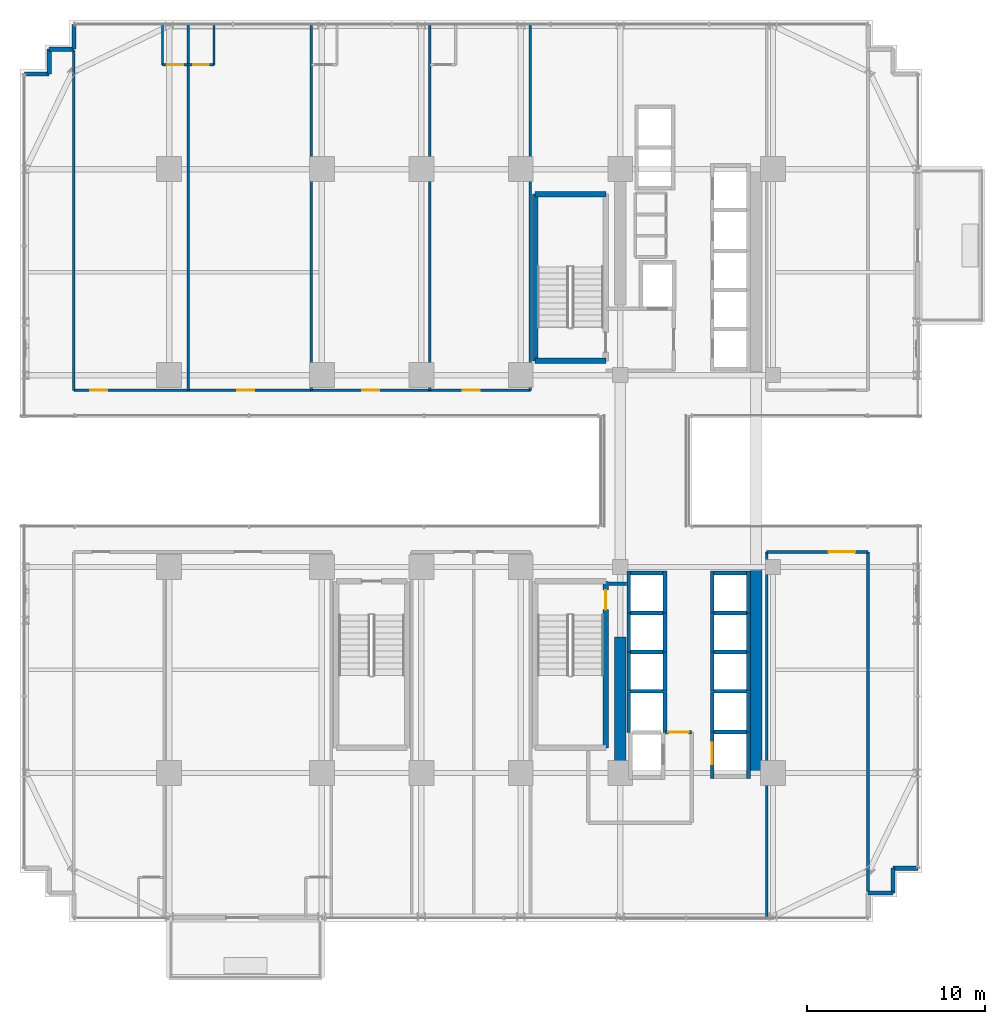
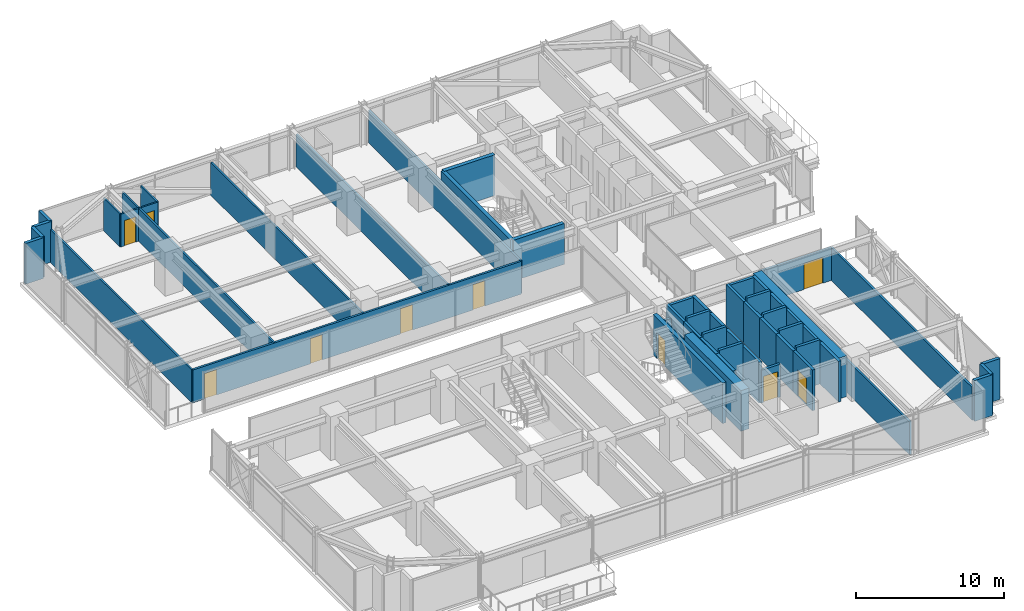
# One storey, part 30 of 35: 55 walls, 10 doors, 10 openings.
"""IFC4 building model written with IfcOpenShell, lengths in metres."""

from ifc_helpers import new_model, si_unit, direction, frame, frame_2d, origin, place, context, subcontext, project, spatial, rectangle, extrude, source, transform, mapped, material, layer, layer_set, type_object, element, fill, save


model = new_model("IFC4")

# Units and contexts
model_context = context("Model", 3, precision=1e-05, world=origin(), true_north=direction((0.0, 1.0)))
body_context = subcontext(model_context, "Body", "Model", "MODEL_VIEW")
ifc_project = project(units=[si_unit("LENGTHUNIT", "METRE"), si_unit("AREAUNIT", "SQUARE_METRE"), si_unit("VOLUMEUNIT", "CUBIC_METRE"), si_unit("PLANEANGLEUNIT", "RADIAN"), si_unit("MASSUNIT", "GRAM", prefix="KILO")], contexts=[model_context])

# Site, building, storey
site_placement = place(None, origin())
site = spatial("IfcSite", under=ifc_project, at=site_placement, CompositionType="ELEMENT")
building_placement = place(site_placement, origin())
building = spatial("IfcBuilding", under=site, at=building_placement, Name="Nahalor Promenade Grand Hotel", CompositionType="ELEMENT")
storey_placement = place(building_placement, frame((0.0, 0.0, 43.35009765625)))
storey = spatial("IfcBuildingStorey", under=building, at=storey_placement, Name="L09", CompositionType="ELEMENT", Elevation=43.35009765625)

# Walls
ifc_material_1 = material(Name="Concrete B-60 (C50/60)", Category="concrete")
ifc_layer_1 = layer(ifc_material_1, 0.64990234375)
ifc_layer_set_1 = layer_set([ifc_layer_1], Name="Concrete B-60 (C50/60)")
wall_type_1 = type_object("IfcWallType", Name="Wall-CoreShear-650", PredefinedType="SHEAR", material=ifc_layer_set_1)
shared_shape_1 = source(origin(), body_context, "Body", "SweptSolid", [
    extrude(rectangle(XDim=7.64990234375, YDim=0.64990234375, at=frame_2d((3.824951171875, 0.0))), origin(), (0.0, 0.0, 1.0), 3.369873046875),
])
wall_1_placement = place(storey_placement, frame((8.39990234375, -17.0, 0.0), z_axis=(0.0, 0.0, 1.0), x_axis=(0.0, 1.0, 0.0)))
element("IfcWall", 1, at=wall_1_placement, inside=storey, type_object=wall_type_1, Name="CWALL-L09-SW", PredefinedType="SHEAR", context=body_context, shape_type="MappedRepresentation", body=[
    mapped(shared_shape_1, transform((0.0, 0.0, 0.0), scale=1.0)),
])
shared_shape_2 = source(origin(), body_context, "Body", "SweptSolid", [
    extrude(rectangle(XDim=11.60009765625, YDim=0.64990234375, at=frame_2d((5.800048828125, 0.0))), origin(), (0.0, 0.0, 1.0), 3.369873046875),
])
wall_2_placement = place(storey_placement, frame((16.050048828125, -17.0, 0.0), z_axis=(0.0, 0.0, 1.0), x_axis=(0.0, 1.0, 0.0)))
element("IfcWall", 2, at=wall_2_placement, inside=storey, type_object=wall_type_1, Name="CWALL-L09-SE", PredefinedType="SHEAR", context=body_context, shape_type="MappedRepresentation", body=[
    mapped(shared_shape_2, transform((0.0, 0.0, 0.0), scale=1.0)),
])
ifc_material_2 = material(Name="Concrete B-50 (C40/50)", Category="concrete")
ifc_layer_2 = layer(ifc_material_2, 0.300048828125)
ifc_layer_set_2 = layer_set([ifc_layer_2], Name="Concrete B-50 (C40/50)")
wall_type_2 = type_object("IfcWallType", Name="Wall-ShaftShear-300", PredefinedType="SHEAR", material=ifc_layer_set_2)
shared_shape_3 = source(origin(), body_context, "Body", "SweptSolid", [
    extrude(rectangle(XDim=3.97998046875, YDim=0.300048828125, at=frame_2d((1.989990234375, 0.0))), origin(), (0.0, 0.0, 1.0), 3.369873046875),
])
for number, where, z_axis, x_axis, name in (
    (3, (3.610107421875, 6.2099609375, 0.0), (0.0, 0.0, 1.0), (1.0, 0.0, 0.0), "L09 Exit Stair ST1 Shaft Wall S"),
    (4, (3.610107421875, 15.590087890625, 0.0), (0.0, 0.0, 1.0), (1.0, 0.0, 0.0), "L09 Exit Stair ST1 Shaft Wall N"),
):
    element("IfcWall", number, at=place(storey_placement, frame(where, z_axis=z_axis, x_axis=x_axis)), inside=storey, type_object=wall_type_2, Name=name, PredefinedType="SHEAR", context=body_context, shape_type="MappedRepresentation", body=[
        mapped(shared_shape_3, transform((0.0, 0.0, 0.0), scale=1.0)),
    ])
shared_shape_4 = source(origin(), body_context, "Body", "SweptSolid", [
    extrude(rectangle(XDim=9.380126953125, YDim=0.300048828125, at=frame_2d((4.68994140625, 0.0))), origin(), (0.0, 0.0, 1.0), 3.369873046875),
])
wall_3_placement = place(storey_placement, frame((3.610107421875, 6.2099609375, 0.0), z_axis=(0.0, 0.0, 1.0), x_axis=(0.0, 1.0, 0.0)))
element("IfcWall", 5, at=wall_3_placement, inside=storey, type_object=wall_type_2, Name="L09 Exit Stair ST1 Shaft Wall W", PredefinedType="SHEAR", context=body_context, shape_type="MappedRepresentation", body=[
    mapped(shared_shape_4, transform((0.0, 0.0, 0.0), scale=1.0)),
])

# Wall, opening, door
wall_4_placement = place(storey_placement, frame((7.590087890625, -15.590087890625, 0.0), z_axis=(0.0, 0.0, 1.0), x_axis=(0.0, 1.0, 0.0)))
wall_4 = element("IfcWall", 6, at=wall_4_placement, inside=storey, type_object=wall_type_2, Name="L09 Exit Stair ST2 Shaft Wall E", PredefinedType="SHEAR", context=body_context, shape_type="MappedRepresentation", body=[
    mapped(shared_shape_4, transform((0.0, 0.0, 0.0), scale=1.0)),
])
opening_1_placement = place(wall_4_placement, frame((7.7900390625, 0.0, 0.0)))
opening_1 = element("IfcOpeningElement", 7, at=opening_1_placement, cuts=wall_4, Name="Opening D-ST1", PredefinedType="OPENING", context=body_context, shape_type="SweptSolid", body=[
    extrude(rectangle(XDim=1.10009765625, YDim=2.14990234375, at=frame_2d((0.550048828125, 1.074951171875))), frame((0.0, 0.159912109375, 0.0), z_axis=(0.0, -1.0, 0.0), x_axis=(1.0, 0.0, 0.0)), (0.0, 0.0, 1.0), 0.320068359375),
])
ifc_material_3 = material(Name="Steel S355JR", Category="steel")
door_type_1 = type_object("IfcDoorType", Name="Door-StairFire-1100", OperationType="NOTDEFINED", PredefinedType="DOOR", material=ifc_material_3)
shared_shape_5 = source(origin(), body_context, "Body", "SweptSolid", [
    extrude(rectangle(XDim=1.10009765625, YDim=2.14990234375, at=frame_2d((0.550048828125, 1.074951171875))), frame((0.0, 0.02490234375, 0.0), z_axis=(0.0, -1.0, 0.0), x_axis=(1.0, 0.0, 0.0)), (0.0, 0.0, 1.0), 0.050048828125),
])
door_1_placement = place(opening_1_placement, origin())
door_1 = element("IfcDoor", 8, at=door_1_placement, inside=storey, type_object=door_type_1, Name="DR-STAIR-ST2-L09", OperationType="SINGLE_SWING_RIGHT", OverallHeight=2.14990234375, OverallWidth=1.10009765625, PredefinedType="DOOR", context=body_context, shape_type="MappedRepresentation", body=[
    mapped(shared_shape_5, transform((0.0, 0.0, 0.0), scale=1.0)),
])
fill(opening_1, door_1)

# Walls
ifc_layer_3 = layer(ifc_material_2, 0.219970703125)
ifc_layer_set_3 = layer_set([ifc_layer_3], Name="Concrete B-50 (C40/50)")
wall_type_3 = type_object("IfcWallType", Name="Wall-LiftShaft-220", PredefinedType="SHEAR", material=ifc_layer_set_3)
shared_shape_6 = source(origin(), body_context, "Body", "SweptSolid", [
    extrude(rectangle(XDim=2.360107421875, YDim=0.219970703125, at=frame_2d((1.18017578125, 0.0))), origin(), (0.0, 0.0, 1.0), 3.369873046875),
])
for number, where, z_axis, x_axis, name in (
    (9, (13.580078125, -8.0, 0.0), (0.0, 0.0, 1.0), (0.0, 1.0, 0.0), "L09 Lift PL5 Hoistway Wall W"),
    (10, (15.6201171875, -8.0, 0.0), (0.0, 0.0, 1.0), (0.0, 1.0, 0.0), "L09 Lift PL5 Hoistway Wall E"),
    (11, (8.8798828125, -8.0, 0.0), (0.0, 0.0, 1.0), (0.0, 1.0, 0.0), "L09 Lift PL9 Hoistway Wall W"),
    (12, (10.919921875, -8.0, 0.0), (0.0, 0.0, 1.0), (0.0, 1.0, 0.0), "L09 Lift PL9 Hoistway Wall E"),
):
    element("IfcWall", number, at=place(storey_placement, frame(where, z_axis=z_axis, x_axis=x_axis)), inside=storey, type_object=wall_type_3, Name=name, PredefinedType="SHEAR", context=body_context, shape_type="MappedRepresentation", body=[
        mapped(shared_shape_6, transform((0.0, 0.0, 0.0), scale=1.0)),
    ])
shared_shape_7 = source(origin(), body_context, "Body", "SweptSolid", [
    extrude(rectangle(XDim=1.820068359375, YDim=0.219970703125, at=frame_2d((0.91015625, 0.0))), origin(), (0.0, 0.0, 1.0), 3.369873046875),
])
for number, where, z_axis, x_axis, name in (
    (13, (13.68994140625, -5.75, 0.0), (0.0, 0.0, 1.0), (1.0, 0.0, 0.0), "L09 Lift PL5 Hoistway Wall N"),
    (14, (8.989990234375, -5.75, 0.0), (0.0, 0.0, 1.0), (1.0, 0.0, 0.0), "L09 Lift PL9 Hoistway Wall N"),
):
    element("IfcWall", number, at=place(storey_placement, frame(where, z_axis=z_axis, x_axis=x_axis)), inside=storey, type_object=wall_type_3, Name=name, PredefinedType="SHEAR", context=body_context, shape_type="MappedRepresentation", body=[
        mapped(shared_shape_7, transform((0.0, 0.0, 0.0), scale=1.0)),
    ])
shared_shape_8 = source(origin(), body_context, "Body", "SweptSolid", [
    extrude(rectangle(XDim=1.820068359375, YDim=0.219970703125, at=frame_2d((0.91015625, 0.0))), origin(), (0.0, 0.0, 1.0), 3.64990234375),
])
for number, where, z_axis, x_axis, name in (
    (15, (13.68994140625, -8.0, 0.0), (0.0, 0.0, 1.0), (1.0, 0.0, 0.0), "L09 Lift PL6 Hoistway Wall N"),
    (16, (13.68994140625, -10.199951171875, 0.0), (0.0, 0.0, 1.0), (1.0, 0.0, 0.0), "L09 Lift PL7 Hoistway Wall N"),
    (17, (13.68994140625, -12.39990234375, 0.0), (0.0, 0.0, 1.0), (1.0, 0.0, 0.0), "L09 Lift PL8 Hoistway Wall N"),
    (18, (8.989990234375, -8.0, 0.0), (0.0, 0.0, 1.0), (1.0, 0.0, 0.0), "L09 Lift PL10 Hoistway Wall N"),
    (19, (8.989990234375, -10.199951171875, 0.0), (0.0, 0.0, 1.0), (1.0, 0.0, 0.0), "L09 Lift PL11 Hoistway Wall N"),
    (20, (8.989990234375, -12.39990234375, 0.0), (0.0, 0.0, 1.0), (1.0, 0.0, 0.0), "L09 Lift PL12 Hoistway Wall N"),
    (21, (13.68994140625, -14.699951171875, 0.0), (0.0, 0.0, 1.0), (1.0, 0.0, 0.0), "L09 Lift SV2 Hoistway Wall N"),
):
    element("IfcWall", number, at=place(storey_placement, frame(where, z_axis=z_axis, x_axis=x_axis)), inside=storey, type_object=wall_type_3, Name=name, PredefinedType="SHEAR", context=body_context, shape_type="MappedRepresentation", body=[
        mapped(shared_shape_8, transform((0.0, 0.0, 0.0), scale=1.0)),
    ])
shared_shape_9 = source(origin(), body_context, "Body", "SweptSolid", [
    extrude(rectangle(XDim=2.199951171875, YDim=0.219970703125, at=frame_2d((1.10009765625, 0.0))), origin(), (0.0, 0.0, 1.0), 3.369873046875),
])
for number, where, z_axis, x_axis, name in (
    (22, (13.580078125, -10.199951171875, 0.0), (0.0, 0.0, 1.0), (0.0, 1.0, 0.0), "L09 Lift PL6 Hoistway Wall W"),
    (23, (15.6201171875, -10.199951171875, 0.0), (0.0, 0.0, 1.0), (0.0, 1.0, 0.0), "L09 Lift PL6 Hoistway Wall E"),
    (24, (13.580078125, -12.39990234375, 0.0), (0.0, 0.0, 1.0), (0.0, 1.0, 0.0), "L09 Lift PL7 Hoistway Wall W"),
    (25, (15.6201171875, -12.39990234375, 0.0), (0.0, 0.0, 1.0), (0.0, 1.0, 0.0), "L09 Lift PL7 Hoistway Wall E"),
    (26, (8.8798828125, -10.199951171875, 0.0), (0.0, 0.0, 1.0), (0.0, 1.0, 0.0), "L09 Lift PL10 Hoistway Wall W"),
    (27, (10.919921875, -10.199951171875, 0.0), (0.0, 0.0, 1.0), (0.0, 1.0, 0.0), "L09 Lift PL10 Hoistway Wall E"),
    (28, (8.8798828125, -12.39990234375, 0.0), (0.0, 0.0, 1.0), (0.0, 1.0, 0.0), "L09 Lift PL11 Hoistway Wall W"),
    (29, (10.919921875, -12.39990234375, 0.0), (0.0, 0.0, 1.0), (0.0, 1.0, 0.0), "L09 Lift PL11 Hoistway Wall E"),
):
    element("IfcWall", number, at=place(storey_placement, frame(where, z_axis=z_axis, x_axis=x_axis)), inside=storey, type_object=wall_type_3, Name=name, PredefinedType="SHEAR", context=body_context, shape_type="MappedRepresentation", body=[
        mapped(shared_shape_9, transform((0.0, 0.0, 0.0), scale=1.0)),
    ])
shared_shape_10 = source(origin(), body_context, "Body", "SweptSolid", [
    extrude(rectangle(XDim=2.300048828125, YDim=0.219970703125, at=frame_2d((1.14990234375, 0.0))), origin(), (0.0, 0.0, 1.0), 3.369873046875),
])
for number, where, z_axis, x_axis, name in (
    (30, (13.580078125, -14.699951171875, 0.0), (0.0, 0.0, 1.0), (0.0, 1.0, 0.0), "L09 Lift PL8 Hoistway Wall W"),
    (31, (15.6201171875, -14.699951171875, 0.0), (0.0, 0.0, 1.0), (0.0, 1.0, 0.0), "L09 Lift PL8 Hoistway Wall E"),
):
    element("IfcWall", number, at=place(storey_placement, frame(where, z_axis=z_axis, x_axis=x_axis)), inside=storey, type_object=wall_type_3, Name=name, PredefinedType="SHEAR", context=body_context, shape_type="MappedRepresentation", body=[
        mapped(shared_shape_10, transform((0.0, 0.0, 0.0), scale=1.0)),
    ])
shared_shape_11 = source(origin(), body_context, "Body", "SweptSolid", [
    extrude(rectangle(XDim=2.3251953125, YDim=0.219970703125, at=frame_2d((1.16259765625, 0.0))), origin(), (0.0, 0.0, 1.0), 3.369873046875),
])
for number, where, z_axis, x_axis, name in (
    (32, (8.8798828125, -14.72509765625, 0.0), (0.0, 0.0, 1.0), (0.0, 1.0, 0.0), "L09 Lift PL12 Hoistway Wall W"),
    (33, (10.919921875, -14.72509765625, 0.0), (0.0, 0.0, 1.0), (0.0, 1.0, 0.0), "L09 Lift PL12 Hoistway Wall E"),
):
    element("IfcWall", number, at=place(storey_placement, frame(where, z_axis=z_axis, x_axis=x_axis)), inside=storey, type_object=wall_type_3, Name=name, PredefinedType="SHEAR", context=body_context, shape_type="MappedRepresentation", body=[
        mapped(shared_shape_11, transform((0.0, 0.0, 0.0), scale=1.0)),
    ])

# Wall, opening, door
shared_shape_12 = source(origin(), body_context, "Body", "SweptSolid", [
    extrude(rectangle(XDim=2.610107421875, YDim=0.219970703125, at=frame_2d((1.30517578125, 0.0))), origin(), (0.0, 0.0, 1.0), 3.369873046875),
])
wall_5_placement = place(storey_placement, frame((13.580078125, -17.31005859375, 0.0), z_axis=(0.0, 0.0, 1.0), x_axis=(0.0, 1.0, 0.0)))
wall_5 = element("IfcWall", 34, at=wall_5_placement, inside=storey, type_object=wall_type_3, Name="L09 Lift SV2 Hoistway Wall W", PredefinedType="SHEAR", context=body_context, shape_type="MappedRepresentation", body=[
    mapped(shared_shape_12, transform((0.0, 0.0, 0.0), scale=1.0)),
])
opening_2_placement = place(wall_5_placement, frame((0.81005859375, 0.0, 0.0)))
opening_2 = element("IfcOpeningElement", 35, at=opening_2_placement, cuts=wall_5, Name="Opening LD-03", PredefinedType="OPENING", context=body_context, shape_type="SweptSolid", body=[
    extrude(rectangle(XDim=1.199951171875, YDim=2.199951171875, at=frame_2d((0.60009765625, 1.10009765625))), frame((0.0, 0.119873046875, 0.0), z_axis=(0.0, -1.0, 0.0), x_axis=(1.0, 0.0, 0.0)), (0.0, 0.0, 1.0), 0.239990234375),
])
door_type_2 = type_object("IfcDoorType", Name="Door-LiftService-1200", OperationType="DOUBLE_DOOR_SLIDING", PredefinedType="DOOR", material=ifc_material_3)
shared_shape_13 = source(origin(), body_context, "Body", "SweptSolid", [
    extrude(rectangle(XDim=1.199951171875, YDim=2.199951171875, at=frame_2d((0.60009765625, 1.10009765625))), frame((0.0, 0.02490234375, 0.0), z_axis=(0.0, -1.0, 0.0), x_axis=(1.0, 0.0, 0.0)), (0.0, 0.0, 1.0), 0.050048828125),
])
door_2_placement = place(opening_2_placement, origin())
door_2 = element("IfcDoor", 36, at=door_2_placement, inside=storey, type_object=door_type_2, Name="DR-LIFT-SV2-L09", OperationType="DOUBLE_DOOR_SLIDING", OverallHeight=2.199951171875, OverallWidth=1.199951171875, PredefinedType="DOOR", context=body_context, shape_type="MappedRepresentation", body=[
    mapped(shared_shape_13, transform((0.0, 0.0, 0.0), scale=1.0)),
])
fill(opening_2, door_2)

# Walls
wall_6_placement = place(storey_placement, frame((15.6201171875, -17.31005859375, 0.0), z_axis=(0.0, 0.0, 1.0), x_axis=(0.0, 1.0, 0.0)))
element("IfcWall", 37, at=wall_6_placement, inside=storey, type_object=wall_type_3, Name="L09 Lift SV2 Hoistway Wall E", PredefinedType="SHEAR", context=body_context, shape_type="MappedRepresentation", body=[
    mapped(shared_shape_12, transform((0.0, 0.0, 0.0), scale=1.0)),
])
ifc_material_4 = material(Name="Concrete B-40 (C32/40)", Category="concrete")
ifc_layer_4 = layer(ifc_material_4, 0.25)
ifc_layer_set_4 = layer_set([ifc_layer_4], Name="Concrete B-40 (C32/40)")
wall_type_4 = type_object("IfcWallType", Name="Wall-BronzePier-250", PredefinedType="STANDARD", material=ifc_layer_set_4)
shared_shape_14 = source(origin(), body_context, "Body", "SweptSolid", [
    extrude(rectangle(XDim=1.39990234375, YDim=0.25, at=frame_2d((0.699951171875, 0.0))), origin(), (0.0, 0.0, 1.0), 3.369873046875),
])
for number, where, z_axis, x_axis, name in (
    (38, (22.360107421875, -23.760009765625, 0.0), (0.0, 0.0, 1.0), (1.0, 0.0, 0.0), "W-L09-SR-02"),
    (39, (23.760009765625, -23.760009765625, 0.0), (0.0, 0.0, 1.0), (0.0, 1.0, 0.0), "W-L09-SR-03"),
    (40, (23.760009765625, -22.360107421875, 0.0), (0.0, 0.0, 1.0), (1.0, 0.0, 0.0), "W-L09-SR-04"),
    (41, (-22.360107421875, 23.760009765625, 0.0), (0.0, 0.0, 1.0), (0.0, 1.0, 0.0), "W-L09-SR-09"),
    (42, (-23.760009765625, 23.760009765625, 0.0), (0.0, 0.0, 1.0), (1.0, 0.0, 0.0), "W-L09-SR-10"),
    (43, (-23.760009765625, 22.360107421875, 0.0), (0.0, 0.0, 1.0), (0.0, 1.0, 0.0), "W-L09-SR-11"),
    (44, (-25.159912109375, 22.360107421875, 0.0), (0.0, 0.0, 1.0), (1.0, 0.0, 0.0), "W-L09-SR-12"),
):
    element("IfcWall", number, at=place(storey_placement, frame(where, z_axis=z_axis, x_axis=x_axis)), inside=storey, type_object=wall_type_4, Name=name, PredefinedType="STANDARD", context=body_context, shape_type="MappedRepresentation", body=[
        mapped(shared_shape_14, transform((0.0, 0.0, 0.0), scale=1.0)),
    ])

# Wall, opening, door
ifc_layer_5 = layer(ifc_material_4, 0.199951171875)
ifc_layer_set_5 = layer_set([ifc_layer_5], Name="Concrete B-40 (C32/40)")
wall_type_5 = type_object("IfcWallType", Name="Wall-PartFire-200", PredefinedType="PARTITIONING", material=ifc_layer_set_5)
shared_shape_15 = source(origin(), body_context, "Body", "SweptSolid", [
    extrude(rectangle(XDim=1.4599609375, YDim=0.199951171875, at=frame_2d((0.72998046875, 0.0))), origin(), (0.0, 0.0, 1.0), 2.7099609375),
])
wall_7_placement = place(storey_placement, frame((10.9599609375, -14.699951171875, 0.0), z_axis=(0.0, 0.0, 1.0), x_axis=(1.0, 0.0, 0.0)))
wall_7 = element("IfcWall", 45, at=wall_7_placement, inside=storey, type_object=wall_type_5, Name="W-L09-FF2-N1", PredefinedType="PARTITIONING", context=body_context, shape_type="MappedRepresentation", body=[
    mapped(shared_shape_15, transform((0.0, 0.0, 0.0), scale=1.0)),
])
opening_3_placement = place(wall_7_placement, frame((0.14501953125, 0.0, 0.0)))
opening_3 = element("IfcOpeningElement", 46, at=opening_3_placement, cuts=wall_7, Name="Opening D-FF1", PredefinedType="OPENING", context=body_context, shape_type="SweptSolid", body=[
    extrude(rectangle(XDim=1.14990234375, YDim=2.14990234375, at=frame_2d((0.574951171875, 1.074951171875))), frame((0.0, 0.10986328125, 0.0), z_axis=(0.0, -1.0, 0.0), x_axis=(1.0, 0.0, 0.0)), (0.0, 0.0, 1.0), 0.219970703125),
])
door_type_3 = type_object("IfcDoorType", Name="Door-FFLobby-1150", OperationType="NOTDEFINED", PredefinedType="DOOR", material=ifc_material_3)
shared_shape_16 = source(origin(), body_context, "Body", "SweptSolid", [
    extrude(rectangle(XDim=1.14990234375, YDim=2.14990234375, at=frame_2d((0.574951171875, 1.074951171875))), frame((0.0, 0.02490234375, 0.0), z_axis=(0.0, -1.0, 0.0), x_axis=(1.0, 0.0, 0.0)), (0.0, 0.0, 1.0), 0.050048828125),
])
door_3_placement = place(opening_3_placement, origin())
door_3 = element("IfcDoor", 47, at=door_3_placement, inside=storey, type_object=door_type_3, Name="DR-L09-FFL2", OperationType="SINGLE_SWING_LEFT", OverallHeight=2.14990234375, OverallWidth=1.14990234375, PredefinedType="DOOR", context=body_context, shape_type="MappedRepresentation", body=[
    mapped(shared_shape_16, transform((0.0, 0.0, 0.0), scale=1.0)),
])
fill(opening_3, door_3)

# Wall
shared_shape_17 = source(origin(), body_context, "Body", "SweptSolid", [
    extrude(rectangle(XDim=0.969970703125, YDim=0.199951171875, at=frame_2d((0.48486328125, 0.0))), origin(), (0.0, 0.0, 1.0), 2.7099609375),
])
wall_8_placement = place(storey_placement, frame((7.77001953125, -6.35009765625, 0.0), z_axis=(0.0, 0.0, 1.0), x_axis=(1.0, 0.0, 0.0)))
element("IfcWall", 48, at=wall_8_placement, inside=storey, type_object=wall_type_5, Name="W-L09-FF2-N2", PredefinedType="PARTITIONING", context=body_context, shape_type="MappedRepresentation", body=[
    mapped(shared_shape_17, transform((0.0, 0.0, 0.0), scale=1.0)),
])

# Wall, opening, door
ifc_material_5 = material(Name="Acoustic Mineral Gypsum", Category="gypsum")
ifc_layer_6 = layer(ifc_material_5, 0.159912109375)
ifc_layer_set_6 = layer_set([ifc_layer_6], Name="Acoustic Mineral Gypsum")
wall_type_6 = type_object("IfcWallType", Name="Wall-PartCorridor-160", PredefinedType="PARTITIONING", material=ifc_layer_set_6)
shared_shape_18 = source(origin(), body_context, "Body", "SweptSolid", [
    extrude(rectangle(XDim=5.710205078125, YDim=0.159912109375, at=frame_2d((2.85498046875, 0.0))), origin(), (0.0, 0.0, 1.0), 2.7099609375),
])
wall_9_placement = place(storey_placement, frame((16.64990234375, -4.550048828125, 0.0), z_axis=(0.0, 0.0, 1.0), x_axis=(1.0, 0.0, 0.0)))
wall_9 = element("IfcWall", 49, at=wall_9_placement, inside=storey, type_object=wall_type_6, Name="W-L09-ESE-N", PredefinedType="PARTITIONING", context=body_context, shape_type="MappedRepresentation", body=[
    mapped(shared_shape_18, transform((0.0, 0.0, 0.0), scale=1.0)),
])
opening_4_placement = place(wall_9_placement, frame((3.47900390625, 0.0, 0.0)))
opening_4 = element("IfcOpeningElement", 50, at=opening_4_placement, cuts=wall_9, Name="Opening D-02", PredefinedType="OPENING", context=body_context, shape_type="SweptSolid", body=[
    extrude(rectangle(XDim=1.5, YDim=2.14990234375, at=frame_2d((0.75, 1.074951171875))), frame((0.0, 0.08984375, 0.0), z_axis=(0.0, -1.0, 0.0), x_axis=(1.0, 0.0, 0.0)), (0.0, 0.0, 1.0), 0.179931640625),
])
ifc_material_6 = material(Name="Fire-Rated Timber Composite", Category="wood")
door_type_4 = type_object("IfcDoorType", Name="Door-SuiteDouble-1500", OperationType="DOUBLE_DOOR_SINGLE_SWING", PredefinedType="DOOR", material=ifc_material_6)
shared_shape_19 = source(origin(), body_context, "Body", "SweptSolid", [
    extrude(rectangle(XDim=1.5, YDim=2.14990234375, at=frame_2d((0.75, 1.074951171875))), frame((0.0, 0.02490234375, 0.0), z_axis=(0.0, -1.0, 0.0), x_axis=(1.0, 0.0, 0.0)), (0.0, 0.0, 1.0), 0.050048828125),
])
door_4_placement = place(opening_4_placement, frame((1.5, 0.0, 0.0), z_axis=(0.0, 0.0, 1.0), x_axis=(-1.0, 0.0, 0.0)))
door_4 = element("IfcDoor", 51, at=door_4_placement, inside=storey, type_object=door_type_4, Name="DR-L09-ESE", OperationType="DOUBLE_DOOR_SINGLE_SWING", OverallHeight=2.14990234375, OverallWidth=1.5, PredefinedType="DOOR", context=body_context, shape_type="MappedRepresentation", body=[
    mapped(shared_shape_19, transform((0.0, 0.0, 0.0), scale=1.0)),
])
fill(opening_4, door_4)

# Walls
shared_shape_20 = source(origin(), body_context, "Body", "SweptSolid", [
    extrude(rectangle(XDim=20.550048828125, YDim=0.159912109375, at=frame_2d((10.27490234375, 0.0))), origin(), (0.0, 0.0, 1.0), 2.7099609375),
])
wall_10_placement = place(storey_placement, frame((16.64990234375, -25.10009765625, 0.0), z_axis=(0.0, 0.0, 1.0), x_axis=(0.0, 1.0, 0.0)))
element("IfcWall", 52, at=wall_10_placement, inside=storey, type_object=wall_type_6, Name="W-L09-ESE-W", PredefinedType="PARTITIONING", context=body_context, shape_type="MappedRepresentation", body=[
    mapped(shared_shape_20, transform((0.0, 0.0, 0.0), scale=1.0)),
])
shared_shape_21 = source(origin(), body_context, "Body", "SweptSolid", [
    extrude(rectangle(XDim=19.1298828125, YDim=0.159912109375, at=frame_2d((9.56494140625, 0.0))), origin(), (0.0, 0.0, 1.0), 2.7099609375),
])
wall_11_placement = place(storey_placement, frame((22.360107421875, -23.679931640625, 0.0), z_axis=(0.0, 0.0, 1.0), x_axis=(0.0, 1.0, 0.0)))
element("IfcWall", 53, at=wall_11_placement, inside=storey, type_object=wall_type_6, Name="W-L09-ESE-E", PredefinedType="PARTITIONING", context=body_context, shape_type="MappedRepresentation", body=[
    mapped(shared_shape_21, transform((0.0, 0.0, 0.0), scale=1.0)),
])

# Wall, openings, doors
shared_shape_22 = source(origin(), body_context, "Body", "SweptSolid", [
    extrude(rectangle(XDim=25.7001953125, YDim=0.159912109375, at=frame_2d((12.85009765625, 0.0))), origin(), (0.0, 0.0, 1.0), 2.7099609375),
])
wall_12_placement = place(storey_placement, frame((-22.360107421875, 4.550048828125, 0.0), z_axis=(0.0, 0.0, 1.0), x_axis=(1.0, 0.0, 0.0)))
wall_12 = element("IfcWall", 54, at=wall_12_placement, inside=storey, type_object=wall_type_6, Name="W-L09-CORR-N", PredefinedType="PARTITIONING", context=body_context, shape_type="MappedRepresentation", body=[
    mapped(shared_shape_22, transform((0.0, 0.0, 0.0), scale=1.0)),
])
opening_5_placement = place(wall_12_placement, frame((0.912109375, 0.0, 0.0)))
opening_5 = element("IfcOpeningElement", 55, at=opening_5_placement, cuts=wall_12, Name="Opening D-01", PredefinedType="OPENING", context=body_context, shape_type="SweptSolid", body=[
    extrude(rectangle(XDim=0.949951171875, YDim=2.10009765625, at=frame_2d((0.47509765625, 1.050048828125))), frame((0.0, 0.08984375, 0.0), z_axis=(0.0, -1.0, 0.0), x_axis=(1.0, 0.0, 0.0)), (0.0, 0.0, 1.0), 0.179931640625),
])
opening_6_placement = place(wall_12_placement, frame((9.194091796875, 0.0, 0.0)))
opening_6 = element("IfcOpeningElement", 56, at=opening_6_placement, cuts=wall_12, Name="Opening D-01", PredefinedType="OPENING", context=body_context, shape_type="SweptSolid", body=[
    extrude(rectangle(XDim=0.949951171875, YDim=2.10009765625, at=frame_2d((0.47509765625, 1.050048828125))), frame((0.0, 0.08984375, 0.0), z_axis=(0.0, -1.0, 0.0), x_axis=(1.0, 0.0, 0.0)), (0.0, 0.0, 1.0), 0.179931640625),
])
opening_7_placement = place(wall_12_placement, frame((16.22998046875, 0.0, 0.0)))
opening_7 = element("IfcOpeningElement", 57, at=opening_7_placement, cuts=wall_12, Name="Opening D-01", PredefinedType="OPENING", context=body_context, shape_type="SweptSolid", body=[
    extrude(rectangle(XDim=0.949951171875, YDim=2.10009765625, at=frame_2d((0.47509765625, 1.050048828125))), frame((0.0, 0.08984375, 0.0), z_axis=(0.0, -1.0, 0.0), x_axis=(1.0, 0.0, 0.0)), (0.0, 0.0, 1.0), 0.179931640625),
])
opening_8_placement = place(wall_12_placement, frame((21.889892578125, 0.0, 0.0)))
opening_8 = element("IfcOpeningElement", 58, at=opening_8_placement, cuts=wall_12, Name="Opening D-01", PredefinedType="OPENING", context=body_context, shape_type="SweptSolid", body=[
    extrude(rectangle(XDim=0.949951171875, YDim=2.10009765625, at=frame_2d((0.47509765625, 1.050048828125))), frame((0.0, 0.08984375, 0.0), z_axis=(0.0, -1.0, 0.0), x_axis=(1.0, 0.0, 0.0)), (0.0, 0.0, 1.0), 0.179931640625),
])
door_type_5 = type_object("IfcDoorType", Name="Door-GuestEntry-950", OperationType="NOTDEFINED", PredefinedType="DOOR", material=ifc_material_6)
shared_shape_23 = source(origin(), body_context, "Body", "SweptSolid", [
    extrude(rectangle(XDim=0.949951171875, YDim=2.10009765625, at=frame_2d((0.47509765625, 1.050048828125))), frame((0.0, 0.02490234375, 0.0), z_axis=(0.0, -1.0, 0.0), x_axis=(1.0, 0.0, 0.0)), (0.0, 0.0, 1.0), 0.050048828125),
])
door_5_placement = place(opening_5_placement, origin())
door_5 = element("IfcDoor", 59, at=door_5_placement, inside=storey, type_object=door_type_5, Name="DR-L09-N1-ENT", OperationType="SINGLE_SWING_RIGHT", OverallHeight=2.10009765625, OverallWidth=0.949951171875, PredefinedType="DOOR", context=body_context, shape_type="MappedRepresentation", body=[
    mapped(shared_shape_23, transform((0.0, 0.0, 0.0), scale=1.0)),
])
fill(opening_5, door_5)
door_6_placement = place(opening_6_placement, origin())
door_6 = element("IfcDoor", 60, at=door_6_placement, inside=storey, type_object=door_type_5, Name="DR-L09-N2-ENT", OperationType="SINGLE_SWING_RIGHT", OverallHeight=2.10009765625, OverallWidth=0.949951171875, PredefinedType="DOOR", context=body_context, shape_type="MappedRepresentation", body=[
    mapped(shared_shape_23, transform((0.0, 0.0, 0.0), scale=1.0)),
])
fill(opening_6, door_6)
door_7_placement = place(opening_7_placement, origin())
door_7 = element("IfcDoor", 61, at=door_7_placement, inside=storey, type_object=door_type_5, Name="DR-L09-N3-ENT", OperationType="SINGLE_SWING_RIGHT", OverallHeight=2.10009765625, OverallWidth=0.949951171875, PredefinedType="DOOR", context=body_context, shape_type="MappedRepresentation", body=[
    mapped(shared_shape_23, transform((0.0, 0.0, 0.0), scale=1.0)),
])
fill(opening_7, door_7)
door_8_placement = place(opening_8_placement, origin())
door_8 = element("IfcDoor", 62, at=door_8_placement, inside=storey, type_object=door_type_5, Name="DR-L09-N4-ENT", OperationType="SINGLE_SWING_RIGHT", OverallHeight=2.10009765625, OverallWidth=0.949951171875, PredefinedType="DOOR", context=body_context, shape_type="MappedRepresentation", body=[
    mapped(shared_shape_23, transform((0.0, 0.0, 0.0), scale=1.0)),
])
fill(opening_8, door_8)

# Walls
ifc_layer_7 = layer(ifc_material_5, 0.139892578125)
ifc_layer_set_7 = layer_set([ifc_layer_7], Name="Acoustic Mineral Gypsum")
wall_type_7 = type_object("IfcWallType", Name="Wall-PartSuite-140", PredefinedType="PARTITIONING", material=ifc_layer_set_7)
shared_shape_24 = source(origin(), body_context, "Body", "SweptSolid", [
    extrude(rectangle(XDim=19.1298828125, YDim=0.139892578125, at=frame_2d((9.56494140625, 0.0))), origin(), (0.0, 0.0, 1.0), 2.7099609375),
])
wall_13_placement = place(storey_placement, frame((-22.360107421875, 4.550048828125, 0.0), z_axis=(0.0, 0.0, 1.0), x_axis=(0.0, 1.0, 0.0)))
element("IfcWall", 63, at=wall_13_placement, inside=storey, type_object=wall_type_7, Name="W-L09-NW-ENDW", PredefinedType="PARTITIONING", context=body_context, shape_type="MappedRepresentation", body=[
    mapped(shared_shape_24, transform((0.0, 0.0, 0.0), scale=1.0)),
])
shared_shape_25 = source(origin(), body_context, "Body", "SweptSolid", [
    extrude(rectangle(XDim=20.550048828125, YDim=0.139892578125, at=frame_2d((10.27490234375, 0.0))), origin(), (0.0, 0.0, 1.0), 2.7099609375),
])
for number, where, z_axis, x_axis, name in (
    (64, (3.340087890625, 4.550048828125, 0.0), (0.0, 0.0, 1.0), (0.0, 1.0, 0.0), "W-L09-NW-ENDE"),
    (65, (-15.93505859375, 4.550048828125, 0.0), (0.0, 0.0, 1.0), (0.0, 1.0, 0.0), "W-L09-NP-1"),
    (66, (-8.99609375, 4.550048828125, 0.0), (0.0, 0.0, 1.0), (0.0, 1.0, 0.0), "W-L09-NP-2"),
    (67, (-2.31396484375, 4.550048828125, 0.0), (0.0, 0.0, 1.0), (0.0, 1.0, 0.0), "W-L09-NP-3"),
):
    element("IfcWall", number, at=place(storey_placement, frame(where, z_axis=z_axis, x_axis=x_axis)), inside=storey, type_object=wall_type_7, Name=name, PredefinedType="PARTITIONING", context=body_context, shape_type="MappedRepresentation", body=[
        mapped(shared_shape_25, transform((0.0, 0.0, 0.0), scale=1.0)),
    ])
ifc_layer_8 = layer(ifc_material_5, 0.1201171875)
ifc_layer_set_8 = layer_set([ifc_layer_8], Name="Acoustic Mineral Gypsum")
wall_type_8 = type_object("IfcWallType", Name="Wall-PartBath-120", PredefinedType="PARTITIONING", material=ifc_layer_set_8)
shared_shape_26 = source(origin(), body_context, "Body", "SweptSolid", [
    extrude(rectangle(XDim=2.22021484375, YDim=0.1201171875, at=frame_2d((1.110107421875, 0.0))), origin(), (0.0, 0.0, 1.0), 2.7099609375),
])
for number, where, z_axis, x_axis, name in (
    (68, (-17.385009765625, 22.8798828125, 0.0), (0.0, 0.0, 1.0), (0.0, 1.0, 0.0), "W-L09-N1-BV"),
    (69, (-14.485107421875, 22.8798828125, 0.0), (0.0, 0.0, 1.0), (0.0, 1.0, 0.0), "W-L09-N2-BV"),
):
    element("IfcWall", number, at=place(storey_placement, frame(where, z_axis=z_axis, x_axis=x_axis)), inside=storey, type_object=wall_type_8, Name=name, PredefinedType="PARTITIONING", context=body_context, shape_type="MappedRepresentation", body=[
        mapped(shared_shape_26, transform((0.0, 0.0, 0.0), scale=1.0)),
    ])

# Wall, opening, door
shared_shape_27 = source(origin(), body_context, "Body", "SweptSolid", [
    extrude(rectangle(XDim=1.449951171875, YDim=0.1201171875, at=frame_2d((0.72509765625, 0.0))), origin(), (0.0, 0.0, 1.0), 2.7099609375),
])
wall_14_placement = place(storey_placement, frame((-17.385009765625, 22.8798828125, 0.0), z_axis=(0.0, 0.0, 1.0), x_axis=(1.0, 0.0, 0.0)))
wall_14 = element("IfcWall", 70, at=wall_14_placement, inside=storey, type_object=wall_type_8, Name="W-L09-N1-BH", PredefinedType="PARTITIONING", context=body_context, shape_type="MappedRepresentation", body=[
    mapped(shared_shape_27, transform((0.0, 0.0, 0.0), scale=1.0)),
])
opening_9_placement = place(wall_14_placement, frame((0.284912109375, 0.0, 0.0)))
opening_9 = element("IfcOpeningElement", 71, at=opening_9_placement, cuts=wall_14, Name="Opening D-03", PredefinedType="OPENING", context=body_context, shape_type="SweptSolid", body=[
    extrude(rectangle(XDim=0.8798828125, YDim=2.10009765625, at=frame_2d((0.43994140625, 1.050048828125))), frame((0.0, 0.070068359375, 0.0), z_axis=(0.0, -1.0, 0.0), x_axis=(1.0, 0.0, 0.0)), (0.0, 0.0, 1.0), 0.14013671875),
])
door_type_6 = type_object("IfcDoorType", Name="Door-BathSwing-880", OperationType="NOTDEFINED", PredefinedType="DOOR", material=ifc_material_6)
shared_shape_28 = source(origin(), body_context, "Body", "SweptSolid", [
    extrude(rectangle(XDim=0.8798828125, YDim=2.10009765625, at=frame_2d((0.43994140625, 1.050048828125))), frame((0.0, 0.02490234375, 0.0), z_axis=(0.0, -1.0, 0.0), x_axis=(1.0, 0.0, 0.0)), (0.0, 0.0, 1.0), 0.050048828125),
])
door_9_placement = place(opening_9_placement, origin())
door_9 = element("IfcDoor", 72, at=door_9_placement, inside=storey, type_object=door_type_6, Name="DR-L09-N1-BATH", OperationType="SINGLE_SWING_LEFT", OverallHeight=2.10009765625, OverallWidth=0.8798828125, PredefinedType="DOOR", context=body_context, shape_type="MappedRepresentation", body=[
    mapped(shared_shape_28, transform((0.0, 0.0, 0.0), scale=1.0)),
])
fill(opening_9, door_9)

wall_15_placement = place(storey_placement, frame((-15.93505859375, 22.8798828125, 0.0), z_axis=(0.0, 0.0, 1.0), x_axis=(1.0, 0.0, 0.0)))
wall_15 = element("IfcWall", 73, at=wall_15_placement, inside=storey, type_object=wall_type_8, Name="W-L09-N2-BH", PredefinedType="PARTITIONING", context=body_context, shape_type="MappedRepresentation", body=[
    mapped(shared_shape_27, transform((0.0, 0.0, 0.0), scale=1.0)),
])
opening_10_placement = place(wall_15_placement, frame((0.284912109375, 0.0, 0.0)))
opening_10 = element("IfcOpeningElement", 74, at=opening_10_placement, cuts=wall_15, Name="Opening D-03", PredefinedType="OPENING", context=body_context, shape_type="SweptSolid", body=[
    extrude(rectangle(XDim=0.8798828125, YDim=2.10009765625, at=frame_2d((0.43994140625, 1.050048828125))), frame((0.0, 0.070068359375, 0.0), z_axis=(0.0, -1.0, 0.0), x_axis=(1.0, 0.0, 0.0)), (0.0, 0.0, 1.0), 0.14013671875),
])
door_10_placement = place(opening_10_placement, origin())
door_10 = element("IfcDoor", 75, at=door_10_placement, inside=storey, type_object=door_type_6, Name="DR-L09-N2-BATH", OperationType="SINGLE_SWING_LEFT", OverallHeight=2.10009765625, OverallWidth=0.8798828125, PredefinedType="DOOR", context=body_context, shape_type="MappedRepresentation", body=[
    mapped(shared_shape_28, transform((0.0, 0.0, 0.0), scale=1.0)),
])
fill(opening_10, door_10)

save(model, "model.ifc")
